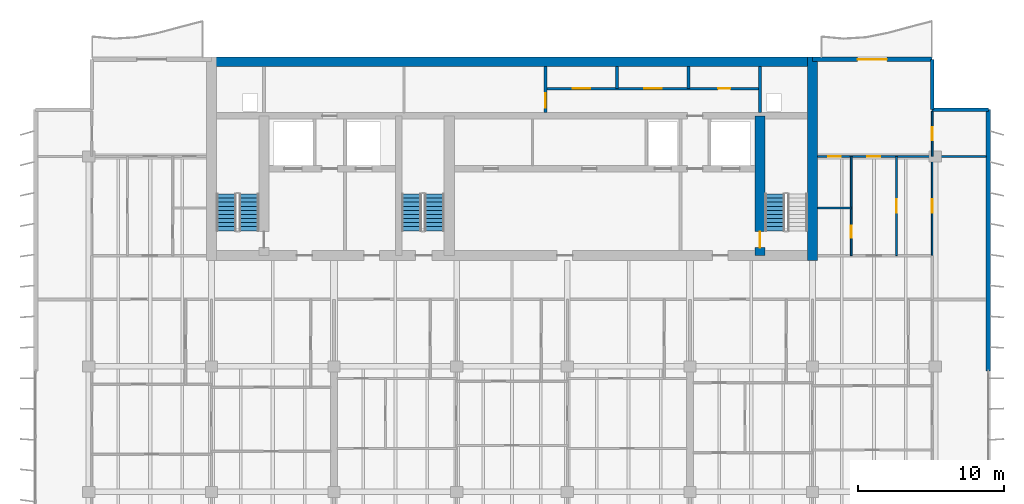
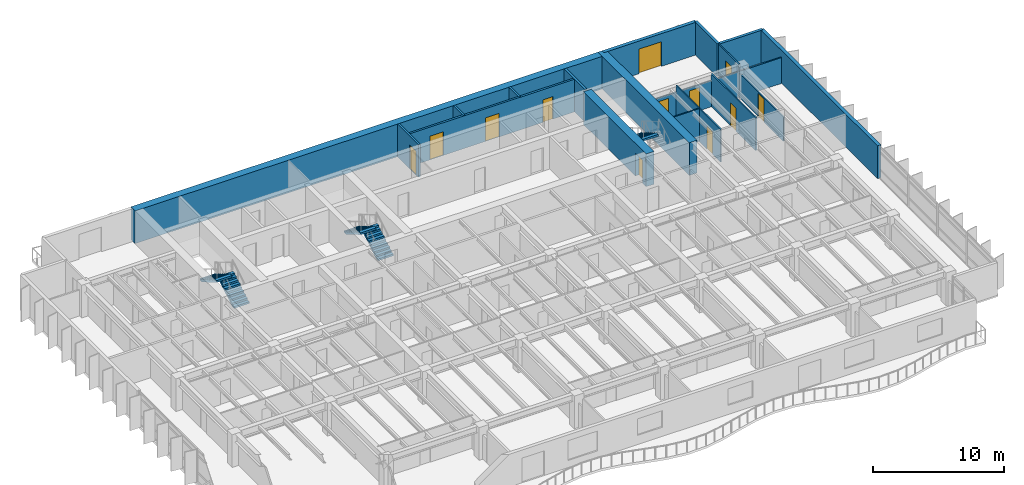
# One storey, part 12 of 17: 18 walls, 12 doors, 5 stair flights, 12 openings, 3 elements without a shape of their own.
"""IFC4 building model written with IfcOpenShell, lengths in metres."""

from ifc_helpers import new_model, si_unit, direction, frame, frame_2d, origin, place, context, subcontext, project, spatial, polyline, rectangle, outline, extrude, material, layer, layer_set, type_object, element, fill, aggregate, save


model = new_model("IFC4")

# Units and contexts
model_context = context("Model", 3, precision=1e-05, world=origin(), true_north=direction((0.0, 1.0)))
body_context = subcontext(model_context, "Body", "Model", "MODEL_VIEW")
ifc_project = project(units=[si_unit("LENGTHUNIT", "METRE"), si_unit("AREAUNIT", "SQUARE_METRE"), si_unit("VOLUMEUNIT", "CUBIC_METRE"), si_unit("PLANEANGLEUNIT", "RADIAN"), si_unit("MASSUNIT", "GRAM", prefix="KILO")], contexts=[model_context])

# Site, building, storey
site_placement = place(None, origin())
site = spatial("IfcSite", under=ifc_project, at=site_placement, CompositionType="ELEMENT")
building_placement = place(site_placement, origin())
building = spatial("IfcBuilding", under=site, at=building_placement, Name="Caelmar Bay Residences", CompositionType="ELEMENT")
storey_placement = place(building_placement, frame((0.0, 0.0, 204.89990234375)))
storey = spatial("IfcBuildingStorey", under=building, at=storey_placement, Name="L57", CompositionType="ELEMENT", Elevation=204.89990234375)

# Wall
ifc_material_1 = material(Name="Concrete f'c 55 MPa (8,000 psi)", Category="concrete")
ifc_layer_1 = layer(ifc_material_1, 0.699951171875)
ifc_layer_set_1 = layer_set([ifc_layer_1], Name="Concrete f'c 55 MPa (8,000 psi)")
wall_type_1 = type_object("IfcWallType", Name="SW-COR-700", PredefinedType="SHEAR", material=ifc_layer_set_1)
wall_1_placement = place(storey_placement, frame((59.5, 36.64990234375, 0.0), z_axis=(0.0, 0.0, 1.0), x_axis=(0.0, 1.0, 0.0)))
element("IfcWall", 1, at=wall_1_placement, inside=storey, type_object=wall_type_1, Name="L57 Rear Core East Shear Wall", PredefinedType="SHEAR", context=body_context, shape_type="SweptSolid", body=[
    extrude(rectangle(XDim=13.9501953125, YDim=0.699951171875, at=frame_2d((6.97509765625, 0.0))), origin(), (0.0, 0.0, 1.0), 3.050048828125),
])

# Wall, opening, door
wall_2_placement = place(storey_placement, frame((55.89990234375, 37.0, 0.0), z_axis=(0.0, 0.0, 1.0), x_axis=(0.0, 1.0, 0.0)))
wall_2 = element("IfcWall", 2, at=wall_2_placement, inside=storey, type_object=wall_type_1, Name="L57 Core Structural Web Wall ST2W", PredefinedType="SHEAR", context=body_context, shape_type="SweptSolid", body=[
    extrude(rectangle(XDim=9.574951171875, YDim=0.699951171875, at=frame_2d((4.78759765625, 0.0))), origin(), (0.0, 0.0, 1.0), 3.050048828125),
])
opening_1_placement = place(wall_2_placement, frame((0.550048828125, 0.0, 0.0)))
opening_1 = element("IfcOpeningElement", 3, at=opening_1_placement, cuts=wall_2, Name="Opening D-L57-110", PredefinedType="OPENING", context=body_context, shape_type="SweptSolid", body=[
    extrude(rectangle(XDim=1.10009765625, YDim=2.14990234375, at=frame_2d((0.550048828125, 1.074951171875))), frame((0.0, 0.35986328125, 0.0), z_axis=(0.0, -1.0, 0.0), x_axis=(1.0, 0.0, 0.0)), (0.0, 0.0, 1.0), 0.719970703125),
])
ifc_material_2 = material(Name="Fire-rated steel and walnut architectural door assembly", Category="steel")
ifc_layer_2 = layer(ifc_material_2, 0.050048828125)
ifc_layer_set_2 = layer_set([ifc_layer_2], Name="Fire-rated steel and walnut architectural door assembly")
door_type_1 = type_object("IfcDoorType", Name="D-STAIR-1100", OperationType="NOTDEFINED", PredefinedType="DOOR", material=ifc_layer_set_2)
door_1_placement = place(opening_1_placement, origin())
door_1 = element("IfcDoor", 4, at=door_1_placement, inside=storey, type_object=door_type_1, Name="L57 Firefighting Lobby East Door", OperationType="SINGLE_SWING_RIGHT", OverallHeight=2.14990234375, OverallWidth=1.10009765625, PredefinedType="DOOR", context=body_context, shape_type="SweptSolid", body=[
    extrude(rectangle(XDim=1.10009765625, YDim=2.14990234375, at=frame_2d((0.550048828125, 1.074951171875))), frame((0.0, 0.02490234375, 0.0), z_axis=(0.0, -1.0, 0.0), x_axis=(1.0, 0.0, 0.0)), (0.0, 0.0, 1.0), 0.050048828125),
])
fill(opening_1, door_1)

# Wall
ifc_layer_3 = layer(ifc_material_1, 0.64990234375)
ifc_layer_set_3 = layer_set([ifc_layer_3], Name="Concrete f'c 55 MPa (8,000 psi)")
wall_type_2 = type_object("IfcWallType", Name="SW-CORN-650", PredefinedType="SHEAR", material=ifc_layer_set_3)
wall_3_placement = place(storey_placement, frame((17.949951171875, 50.27490234375, 0.0), z_axis=(0.0, 0.0, 1.0), x_axis=(1.0, 0.0, 0.0)))
element("IfcWall", 5, at=wall_3_placement, inside=storey, type_object=wall_type_2, Name="L57 Rear Core North Shear Wall", PredefinedType="SHEAR", context=body_context, shape_type="SweptSolid", body=[
    extrude(rectangle(XDim=41.900146484375, YDim=0.64990234375, at=frame_2d((20.9501953125, 0.0))), origin(), (0.0, 0.0, 1.0), 3.050048828125),
])

# Wall, opening, door
ifc_material_3 = material(Name="Double-stud acoustic fire-rated gypsum partition 180 mm")
ifc_layer_4 = layer(ifc_material_3, 0.179931640625)
ifc_layer_set_4 = layer_set([ifc_layer_4], Name="Double-stud acoustic fire-rated gypsum partition 180 mm")
wall_type_3 = type_object("IfcWallType", Name="W-COR-200", PredefinedType="PARTITIONING", material=ifc_layer_set_4)
wall_4_placement = place(storey_placement, frame((41.199951171875, 46.794921875, 0.0), z_axis=(0.0, 0.0, 1.0), x_axis=(0.0, 1.0, 0.0)))
wall_4 = element("IfcWall", 6, at=wall_4_placement, inside=storey, type_object=wall_type_3, Name="L57 Partition Wall V025", PredefinedType="PARTITIONING", context=body_context, shape_type="SweptSolid", body=[
    extrude(rectangle(XDim=3.16015625, YDim=0.179931640625, at=frame_2d((1.580078125, 0.0))), origin(), (0.0, 0.0, 1.0), 3.050048828125),
])
opening_2_placement = place(wall_4_placement, frame((0.327392578125, 0.0, 0.0)))
opening_2 = element("IfcOpeningElement", 7, at=opening_2_placement, cuts=wall_4, Name="Opening D-L57-118", PredefinedType="OPENING", context=body_context, shape_type="SweptSolid", body=[
    extrude(rectangle(XDim=1.0, YDim=2.199951171875, at=frame_2d((0.5, 1.10009765625))), frame((0.0, 0.099853515625, 0.0), z_axis=(0.0, -1.0, 0.0), x_axis=(1.0, 0.0, 0.0)), (0.0, 0.0, 1.0), 0.199951171875),
])
ifc_layer_5 = layer(ifc_material_2, 0.050048828125)
ifc_layer_set_5 = layer_set([ifc_layer_5], Name="Fire-rated steel and walnut architectural door assembly")
door_type_2 = type_object("IfcDoorType", Name="D-UNIT-1000", OperationType="NOTDEFINED", PredefinedType="DOOR", material=ifc_layer_set_5)
door_2_placement = place(opening_2_placement, origin())
door_2 = element("IfcDoor", 8, at=door_2_placement, inside=storey, type_object=door_type_2, Name="L57 Engineering Control Office Door", OperationType="SINGLE_SWING_RIGHT", OverallHeight=2.199951171875, OverallWidth=1.0, PredefinedType="DOOR", context=body_context, shape_type="SweptSolid", body=[
    extrude(rectangle(XDim=1.0, YDim=2.199951171875, at=frame_2d((0.5, 1.10009765625))), frame((0.0, 0.02490234375, 0.0), z_axis=(0.0, -1.0, 0.0), x_axis=(1.0, 0.0, 0.0)), (0.0, 0.0, 1.0), 0.050048828125),
])
fill(opening_2, door_2)

# Walls
for number, where, z_axis, x_axis, name in (
    (9, (46.10009765625, 48.449951171875, 0.0), (0.0, 0.0, 1.0), (0.0, 1.0, 0.0), "L57 Partition Wall V028"),
    (10, (51.0, 48.449951171875, 0.0), (0.0, 0.0, 1.0), (0.0, 1.0, 0.0), "L57 Partition Wall V033"),
):
    element("IfcWall", number, at=place(storey_placement, frame(where, z_axis=z_axis, x_axis=x_axis)), inside=storey, type_object=wall_type_3, Name=name, PredefinedType="PARTITIONING", context=body_context, shape_type="SweptSolid", body=[
        extrude(rectangle(XDim=1.505126953125, YDim=0.179931640625, at=frame_2d((0.75244140625, 0.0))), origin(), (0.0, 0.0, 1.0), 3.050048828125),
    ])

# Wall, openings, doors
wall_5_placement = place(storey_placement, frame((41.199951171875, 48.449951171875, 0.0), z_axis=(0.0, 0.0, 1.0), x_axis=(1.0, 0.0, 0.0)))
wall_5 = element("IfcWall", 11, at=wall_5_placement, inside=storey, type_object=wall_type_3, Name="L57 Partition Wall H076", PredefinedType="PARTITIONING", context=body_context, shape_type="SweptSolid", body=[
    extrude(rectangle(XDim=14.699951171875, YDim=0.179931640625, at=frame_2d((7.35009765625, 0.0))), origin(), (0.0, 0.0, 1.0), 3.050048828125),
])
opening_3_placement = place(wall_5_placement, frame((1.85009765625, 0.0, 0.0)))
opening_3 = element("IfcOpeningElement", 12, at=opening_3_placement, cuts=wall_5, Name="Opening D-L57-119", PredefinedType="OPENING", context=body_context, shape_type="SweptSolid", body=[
    extrude(rectangle(XDim=1.199951171875, YDim=2.199951171875, at=frame_2d((0.60009765625, 1.10009765625))), frame((0.0, 0.099853515625, 0.0), z_axis=(0.0, -1.0, 0.0), x_axis=(1.0, 0.0, 0.0)), (0.0, 0.0, 1.0), 0.199951171875),
])
opening_4_placement = place(wall_5_placement, frame((6.75, 0.0, 0.0)))
opening_4 = element("IfcOpeningElement", 13, at=opening_4_placement, cuts=wall_5, Name="Opening D-L57-120", PredefinedType="OPENING", context=body_context, shape_type="SweptSolid", body=[
    extrude(rectangle(XDim=1.199951171875, YDim=2.199951171875, at=frame_2d((0.60009765625, 1.10009765625))), frame((0.0, 0.099853515625, 0.0), z_axis=(0.0, -1.0, 0.0), x_axis=(1.0, 0.0, 0.0)), (0.0, 0.0, 1.0), 0.199951171875),
])
opening_5_placement = place(wall_5_placement, frame((11.824951171875, 0.0, 0.0)))
opening_5 = element("IfcOpeningElement", 14, at=opening_5_placement, cuts=wall_5, Name="Opening D-L57-121", PredefinedType="OPENING", context=body_context, shape_type="SweptSolid", body=[
    extrude(rectangle(XDim=0.85009765625, YDim=2.10009765625, at=frame_2d((0.425048828125, 1.050048828125))), frame((0.0, 0.099853515625, 0.0), z_axis=(0.0, -1.0, 0.0), x_axis=(1.0, 0.0, 0.0)), (0.0, 0.0, 1.0), 0.199951171875),
])
ifc_layer_6 = layer(ifc_material_2, 0.050048828125)
ifc_layer_set_6 = layer_set([ifc_layer_6], Name="Fire-rated steel and walnut architectural door assembly")
door_type_3 = type_object("IfcDoorType", Name="D-CORE-850", OperationType="NOTDEFINED", PredefinedType="DOOR", material=ifc_layer_set_6)
door_3_placement = place(opening_5_placement, origin())
door_3 = element("IfcDoor", 15, at=door_3_placement, inside=storey, type_object=door_type_3, Name="L57 Accessible Staff WC Door", OperationType="SINGLE_SWING_LEFT", OverallHeight=2.10009765625, OverallWidth=0.85009765625, PredefinedType="DOOR", context=body_context, shape_type="SweptSolid", body=[
    extrude(rectangle(XDim=0.85009765625, YDim=2.10009765625, at=frame_2d((0.425048828125, 1.050048828125))), frame((0.0, 0.02490234375, 0.0), z_axis=(0.0, -1.0, 0.0), x_axis=(1.0, 0.0, 0.0)), (0.0, 0.0, 1.0), 0.050048828125),
])
fill(opening_5, door_3)
ifc_layer_7 = layer(ifc_material_2, 0.050048828125)
ifc_layer_set_7 = layer_set([ifc_layer_7], Name="Fire-rated steel and walnut architectural door assembly")
door_type_4 = type_object("IfcDoorType", Name="D-PLANT-1200", OperationType="NOTDEFINED", PredefinedType="DOOR", material=ifc_layer_set_7)
door_4_placement = place(opening_3_placement, origin())
door_4 = element("IfcDoor", 16, at=door_4_placement, inside=storey, type_object=door_type_4, Name="L57 Electrical Closet Door", OperationType="SINGLE_SWING_LEFT", OverallHeight=2.199951171875, OverallWidth=1.199951171875, PredefinedType="DOOR", context=body_context, shape_type="SweptSolid", body=[
    extrude(rectangle(XDim=1.199951171875, YDim=2.199951171875, at=frame_2d((0.60009765625, 1.10009765625))), frame((0.0, 0.02490234375, 0.0), z_axis=(0.0, -1.0, 0.0), x_axis=(1.0, 0.0, 0.0)), (0.0, 0.0, 1.0), 0.050048828125),
])
fill(opening_3, door_4)
door_5_placement = place(opening_4_placement, origin())
door_5 = element("IfcDoor", 17, at=door_5_placement, inside=storey, type_object=door_type_4, Name="L57 Housekeeping Linen Closet Door", OperationType="SINGLE_SWING_RIGHT", OverallHeight=2.199951171875, OverallWidth=1.199951171875, PredefinedType="DOOR", context=body_context, shape_type="SweptSolid", body=[
    extrude(rectangle(XDim=1.199951171875, YDim=2.199951171875, at=frame_2d((0.60009765625, 1.10009765625))), frame((0.0, 0.02490234375, 0.0), z_axis=(0.0, -1.0, 0.0), x_axis=(1.0, 0.0, 0.0)), (0.0, 0.0, 1.0), 0.050048828125),
])
fill(opening_4, door_5)

# Walls
ifc_material_4 = material(Name="Precast concrete f'c 40 MPa (6,000 psi)", Category="concrete")
ifc_layer_8 = layer(ifc_material_4, 0.25)
ifc_layer_set_8 = layer_set([ifc_layer_8], Name="Precast concrete f'c 40 MPa (6,000 psi)")
wall_type_4 = type_object("IfcWallType", Name="W-EXT-250", PredefinedType="ELEMENTEDWALL", material=ifc_layer_set_8)
wall_6_placement = place(storey_placement, frame((67.699951171875, 50.449951171875, 0.0), z_axis=(0.0, 0.0, 1.0), x_axis=(0.0, -1.0, 0.0)))
element("IfcWall", 18, at=wall_6_placement, inside=storey, type_object=wall_type_4, Name="L57 NNE-V Notch Wall", PredefinedType="ELEMENTEDWALL", context=body_context, shape_type="SweptSolid", body=[
    extrude(rectangle(XDim=3.449951171875, YDim=0.25, at=frame_2d((1.72509765625, 0.0))), origin(), (0.0, 0.0, 1.0), 3.050048828125),
])
wall_7_placement = place(storey_placement, frame((67.699951171875, 47.0, 0.0), z_axis=(0.0, 0.0, 1.0), x_axis=(1.0, 0.0, 0.0)))
element("IfcWall", 19, at=wall_7_placement, inside=storey, type_object=wall_type_4, Name="L57 NNE-H Notch Wall", PredefinedType="ELEMENTEDWALL", context=body_context, shape_type="SweptSolid", body=[
    extrude(rectangle(XDim=3.85009765625, YDim=0.25, at=frame_2d((1.925048828125, 0.0))), origin(), (0.0, 0.0, 1.0), 3.050048828125),
])
ifc_layer_9 = layer(ifc_material_4, 0.300048828125)
ifc_layer_set_9 = layer_set([ifc_layer_9], Name="Precast concrete f'c 40 MPa (6,000 psi)")
wall_type_5 = type_object("IfcWallType", Name="W-EXT-300", PredefinedType="STANDARD", material=ifc_layer_set_9)
wall_8_placement = place(storey_placement, frame((71.550048828125, 47.0, 0.0), z_axis=(0.0, 0.0, 1.0), x_axis=(0.0, -1.0, 0.0)))
element("IfcWall", 20, at=wall_8_placement, inside=storey, type_object=wall_type_5, Name="L57 East Rear Exterior Wall", PredefinedType="STANDARD", context=body_context, shape_type="SweptSolid", body=[
    extrude(rectangle(XDim=17.89990234375, YDim=0.300048828125, at=frame_2d((8.949951171875, 0.0))), origin(), (0.0, 0.0, 1.0), 3.050048828125),
])

# Wall, opening, door
wall_9_placement = place(storey_placement, frame((59.5, 50.449951171875, 0.0), z_axis=(0.0, 0.0, 1.0), x_axis=(1.0, 0.0, 0.0)))
wall_9 = element("IfcWall", 21, at=wall_9_placement, inside=storey, type_object=wall_type_5, Name="L57 North-East Wing Exterior Wall", PredefinedType="STANDARD", context=body_context, shape_type="SweptSolid", body=[
    extrude(rectangle(XDim=8.199951171875, YDim=0.300048828125, at=frame_2d((4.10009765625, 0.0))), origin(), (0.0, 0.0, 1.0), 3.050048828125),
])
opening_6_placement = place(wall_9_placement, frame((3.10009765625, 0.0, 0.0)))
opening_6 = element("IfcOpeningElement", 22, at=opening_6_placement, cuts=wall_9, Name="Opening L57-BDNE", PredefinedType="OPENING", context=body_context, shape_type="SweptSolid", body=[
    extrude(rectangle(XDim=2.0, YDim=2.300048828125, at=frame_2d((1.0, 1.14990234375))), frame((0.0, 0.159912109375, 0.0), z_axis=(0.0, -1.0, 0.0), x_axis=(1.0, 0.0, 0.0)), (0.0, 0.0, 1.0), 0.320068359375),
])
ifc_material_5 = material(Name="Anodised bronze thermally broken sliding glass door", Category="glass")
ifc_layer_10 = layer(ifc_material_5, 0.050048828125)
ifc_layer_set_10 = layer_set([ifc_layer_10], Name="Anodised bronze thermally broken sliding glass door")
door_type_5 = type_object("IfcDoorType", Name="D-BAL-2000", OperationType="DOUBLE_DOOR_SLIDING", PredefinedType="DOOR", material=ifc_layer_set_10)
door_6_placement = place(opening_6_placement, origin())
door_6 = element("IfcDoor", 23, at=door_6_placement, inside=storey, type_object=door_type_5, Name="L57 North-East Balcony Door", OperationType="DOUBLE_DOOR_SLIDING", OverallHeight=2.300048828125, OverallWidth=2.0, PredefinedType="DOOR", context=body_context, shape_type="SweptSolid", body=[
    extrude(rectangle(XDim=2.0, YDim=2.300048828125, at=frame_2d((1.0, 1.14990234375))), frame((0.0, 0.02490234375, 0.0), z_axis=(0.0, -1.0, 0.0), x_axis=(1.0, 0.0, 0.0)), (0.0, 0.0, 1.0), 0.050048828125),
])
fill(opening_6, door_6)

# Wall
ifc_material_6 = material(Name="Fire-rated masonry and gypsum shaftliner assembly 200 mm", Category="masonry")
ifc_layer_11 = layer(ifc_material_6, 0.199951171875)
ifc_layer_set_11 = layer_set([ifc_layer_11], Name="Fire-rated masonry and gypsum shaftliner assembly 200 mm")
wall_type_6 = type_object("IfcWallType", Name="W-FSAE-200", PredefinedType="PARTITIONING", material=ifc_layer_set_11)
wall_10_placement = place(storey_placement, frame((55.89990234375, 46.794921875, 0.0), z_axis=(0.0, 0.0, 1.0), x_axis=(0.0, 1.0, 0.0)))
element("IfcWall", 24, at=wall_10_placement, inside=storey, type_object=wall_type_6, Name="L57 Partition Wall V039", PredefinedType="PARTITIONING", context=body_context, shape_type="SweptSolid", body=[
    extrude(rectangle(XDim=3.16015625, YDim=0.199951171875, at=frame_2d((1.580078125, 0.0))), origin(), (0.0, 0.0, 1.0), 3.050048828125),
])

# Wall, opening, door
ifc_material_7 = material(Name="Anodised bronze framed acoustic sliding study partition 100 mm")
ifc_layer_12 = layer(ifc_material_7, 0.10009765625)
ifc_layer_set_12 = layer_set([ifc_layer_12], Name="Anodised bronze framed acoustic sliding study partition 100 mm")
wall_type_7 = type_object("IfcWallType", Name="W-MOV-100", PredefinedType="MOVABLE", material=ifc_layer_set_12)
wall_11_placement = place(storey_placement, frame((67.699951171875, 37.0048828125, 0.0), z_axis=(0.0, 0.0, 1.0), x_axis=(0.0, 1.0, 0.0)))
wall_11 = element("IfcWall", 25, at=wall_11_placement, inside=storey, type_object=wall_type_7, Name="L57 Partition Wall V048", PredefinedType="MOVABLE", context=body_context, shape_type="SweptSolid", body=[
    extrude(rectangle(XDim=6.795166015625, YDim=0.10009765625, at=frame_2d((3.3974609375, 0.0))), origin(), (0.0, 0.0, 1.0), 2.26318359375),
])
opening_7_placement = place(wall_11_placement, frame((2.947509765625, 0.0, 0.0)))
opening_7 = element("IfcOpeningElement", 26, at=opening_7_placement, cuts=wall_11, Name="Opening D-L57-170", PredefinedType="OPENING", context=body_context, shape_type="SweptSolid", body=[
    extrude(rectangle(XDim=0.89990234375, YDim=2.14990234375, at=frame_2d((0.449951171875, 1.074951171875))), frame((0.0, 0.06005859375, 0.0), z_axis=(0.0, -1.0, 0.0), x_axis=(1.0, 0.0, 0.0)), (0.0, 0.0, 1.0), 0.1201171875),
])
ifc_material_8 = material(Name="Solid walnut timber interior door leaf and frame", Category="wood")
ifc_layer_13 = layer(ifc_material_8, 0.050048828125)
ifc_layer_set_13 = layer_set([ifc_layer_13], Name="Solid walnut timber interior door leaf and frame")
door_type_6 = type_object("IfcDoorType", Name="D-ROOM-900", OperationType="NOTDEFINED", PredefinedType="DOOR", material=ifc_layer_set_13)
door_7_placement = place(opening_7_placement, origin())
door_7 = element("IfcDoor", 27, at=door_7_placement, inside=storey, type_object=door_type_6, Name="L57 Residence EA Sun Study Door", OperationType="SINGLE_SWING_RIGHT", OverallHeight=2.14990234375, OverallWidth=0.89990234375, PredefinedType="DOOR", context=body_context, shape_type="SweptSolid", body=[
    extrude(rectangle(XDim=0.89990234375, YDim=2.14990234375, at=frame_2d((0.449951171875, 1.074951171875))), frame((0.0, 0.02490234375, 0.0), z_axis=(0.0, -1.0, 0.0), x_axis=(1.0, 0.0, 0.0)), (0.0, 0.0, 1.0), 0.050048828125),
])
fill(opening_7, door_7)

ifc_material_9 = material(Name="Acoustic metal-stud gypsum partition 120 mm")
ifc_layer_14 = layer(ifc_material_9, 0.1201171875)
ifc_layer_set_14 = layer_set([ifc_layer_14], Name="Acoustic metal-stud gypsum partition 120 mm")
wall_type_8 = type_object("IfcWallType", Name="W-PRT-120", PredefinedType="PARTITIONING", material=ifc_layer_set_14)
wall_12_placement = place(storey_placement, frame((62.14990234375, 37.0, 0.0), z_axis=(0.0, 0.0, 1.0), x_axis=(0.0, 1.0, 0.0)))
wall_12 = element("IfcWall", 28, at=wall_12_placement, inside=storey, type_object=wall_type_8, Name="L57 Partition Wall V043", PredefinedType="PARTITIONING", context=body_context, shape_type="SweptSolid", body=[
    extrude(rectangle(XDim=6.800048828125, YDim=0.1201171875, at=frame_2d((3.39990234375, 0.0))), origin(), (0.0, 0.0, 1.0), 3.050048828125),
])
opening_8_placement = place(wall_12_placement, frame((1.20703125, 0.0, 0.0)))
opening_8 = element("IfcOpeningElement", 29, at=opening_8_placement, cuts=wall_12, Name="Opening D-L57-168", PredefinedType="OPENING", context=body_context, shape_type="SweptSolid", body=[
    extrude(rectangle(XDim=0.85009765625, YDim=2.10009765625, at=frame_2d((0.425048828125, 1.050048828125))), frame((0.0, 0.070068359375, 0.0), z_axis=(0.0, -1.0, 0.0), x_axis=(1.0, 0.0, 0.0)), (0.0, 0.0, 1.0), 0.14013671875),
])
ifc_layer_15 = layer(ifc_material_8, 0.050048828125)
ifc_layer_set_15 = layer_set([ifc_layer_15], Name="Solid walnut timber interior door leaf and frame")
door_type_7 = type_object("IfcDoorType", Name="D-BATH-850", OperationType="NOTDEFINED", PredefinedType="DOOR", material=ifc_layer_set_15)
door_8_placement = place(opening_8_placement, origin())
door_8 = element("IfcDoor", 30, at=door_8_placement, inside=storey, type_object=door_type_7, Name="L57 Residence EA Walk-In Closet Door", OperationType="SINGLE_SWING_RIGHT", OverallHeight=2.10009765625, OverallWidth=0.85009765625, PredefinedType="DOOR", context=body_context, shape_type="SweptSolid", body=[
    extrude(rectangle(XDim=0.85009765625, YDim=2.10009765625, at=frame_2d((0.425048828125, 1.050048828125))), frame((0.0, 0.02490234375, 0.0), z_axis=(0.0, -1.0, 0.0), x_axis=(1.0, 0.0, 0.0)), (0.0, 0.0, 1.0), 0.050048828125),
])
fill(opening_8, door_8)

wall_13_placement = place(storey_placement, frame((65.258056640625, 37.0, 0.0), z_axis=(0.0, 0.0, 1.0), x_axis=(0.0, 1.0, 0.0)))
wall_13 = element("IfcWall", 31, at=wall_13_placement, inside=storey, type_object=wall_type_8, Name="L57 Partition Wall V044", PredefinedType="PARTITIONING", context=body_context, shape_type="SweptSolid", body=[
    extrude(rectangle(XDim=6.800048828125, YDim=0.1201171875, at=frame_2d((3.39990234375, 0.0))), origin(), (0.0, 0.0, 1.0), 3.050048828125),
])
opening_9_placement = place(wall_13_placement, frame((2.949951171875, 0.0, 0.0)))
opening_9 = element("IfcOpeningElement", 32, at=opening_9_placement, cuts=wall_13, Name="Opening D-L57-165", PredefinedType="OPENING", context=body_context, shape_type="SweptSolid", body=[
    extrude(rectangle(XDim=0.89990234375, YDim=2.14990234375, at=frame_2d((0.449951171875, 1.074951171875))), frame((0.0, 0.070068359375, 0.0), z_axis=(0.0, -1.0, 0.0), x_axis=(1.0, 0.0, 0.0)), (0.0, 0.0, 1.0), 0.14013671875),
])
door_9_placement = place(opening_9_placement, origin())
door_9 = element("IfcDoor", 33, at=door_9_placement, inside=storey, type_object=door_type_6, Name="L57 Residence EA Dining Room Door", OperationType="SINGLE_SWING_LEFT", OverallHeight=2.14990234375, OverallWidth=0.89990234375, PredefinedType="DOOR", context=body_context, shape_type="SweptSolid", body=[
    extrude(rectangle(XDim=0.89990234375, YDim=2.14990234375, at=frame_2d((0.449951171875, 1.074951171875))), frame((0.0, 0.02490234375, 0.0), z_axis=(0.0, -1.0, 0.0), x_axis=(1.0, 0.0, 0.0)), (0.0, 0.0, 1.0), 0.050048828125),
])
fill(opening_9, door_9)

wall_14_placement = place(storey_placement, frame((67.699951171875, 43.804931640625, 0.0), z_axis=(0.0, 0.0, 1.0), x_axis=(0.0, 1.0, 0.0)))
wall_14 = element("IfcWall", 34, at=wall_14_placement, inside=storey, type_object=wall_type_8, Name="L57 Partition Wall V049", PredefinedType="PARTITIONING", context=body_context, shape_type="SweptSolid", body=[
    extrude(rectangle(XDim=3.074951171875, YDim=0.1201171875, at=frame_2d((1.53759765625, 0.0))), origin(), (0.0, 0.0, 1.0), 3.050048828125),
])
opening_10_placement = place(wall_14_placement, frame((1.08740234375, 0.0, 0.0)))
opening_10 = element("IfcOpeningElement", 35, at=opening_10_placement, cuts=wall_14, Name="Opening D-L57-171", PredefinedType="OPENING", context=body_context, shape_type="SweptSolid", body=[
    extrude(rectangle(XDim=0.89990234375, YDim=2.14990234375, at=frame_2d((0.449951171875, 1.074951171875))), frame((0.0, 0.070068359375, 0.0), z_axis=(0.0, -1.0, 0.0), x_axis=(1.0, 0.0, 0.0)), (0.0, 0.0, 1.0), 0.14013671875),
])
door_10_placement = place(opening_10_placement, origin())
door_10 = element("IfcDoor", 36, at=door_10_placement, inside=storey, type_object=door_type_6, Name="L57 Residence EA North Sitting Alcove Door", OperationType="SINGLE_SWING_LEFT", OverallHeight=2.14990234375, OverallWidth=0.89990234375, PredefinedType="DOOR", context=body_context, shape_type="SweptSolid", body=[
    extrude(rectangle(XDim=0.89990234375, YDim=2.14990234375, at=frame_2d((0.449951171875, 1.074951171875))), frame((0.0, 0.02490234375, 0.0), z_axis=(0.0, -1.0, 0.0), x_axis=(1.0, 0.0, 0.0)), (0.0, 0.0, 1.0), 0.050048828125),
])
fill(opening_10, door_10)

# Wall
wall_15_placement = place(storey_placement, frame((59.844970703125, 40.263916015625, 0.0), z_axis=(0.0, 0.0, 1.0), x_axis=(1.0, 0.0, 0.0)))
element("IfcWall", 37, at=wall_15_placement, inside=storey, type_object=wall_type_8, Name="L57 Partition Wall H073", PredefinedType="PARTITIONING", context=body_context, shape_type="SweptSolid", body=[
    extrude(rectangle(XDim=2.304931640625, YDim=0.1201171875, at=frame_2d((1.15234375, 0.0))), origin(), (0.0, 0.0, 1.0), 3.050048828125),
])

# Wall, openings, doors
wall_16_placement = place(storey_placement, frame((59.844970703125, 43.800048828125, 0.0), z_axis=(0.0, 0.0, 1.0), x_axis=(1.0, 0.0, 0.0)))
wall_16 = element("IfcWall", 38, at=wall_16_placement, inside=storey, type_object=wall_type_8, Name="L57 Partition Wall H075", PredefinedType="PARTITIONING", context=body_context, shape_type="SweptSolid", body=[
    extrude(rectangle(XDim=11.56005859375, YDim=0.1201171875, at=frame_2d((5.780029296875, 0.0))), origin(), (0.0, 0.0, 1.0), 2.418212890625),
])
opening_11_placement = place(wall_16_placement, frame((3.408935546875, 0.0, 0.0)))
opening_11 = element("IfcOpeningElement", 39, at=opening_11_placement, cuts=wall_16, Name="Opening D-L57-167", PredefinedType="OPENING", context=body_context, shape_type="SweptSolid", body=[
    extrude(rectangle(XDim=0.89990234375, YDim=2.14990234375, at=frame_2d((0.449951171875, 1.074951171875))), frame((0.0, 0.070068359375, 0.0), z_axis=(0.0, -1.0, 0.0), x_axis=(1.0, 0.0, 0.0)), (0.0, 0.0, 1.0), 0.14013671875),
])
opening_12_placement = place(wall_16_placement, frame((0.7275390625, 0.0, 0.0)))
opening_12 = element("IfcOpeningElement", 40, at=opening_12_placement, cuts=wall_16, Name="Opening D-L57-169", PredefinedType="OPENING", context=body_context, shape_type="SweptSolid", body=[
    extrude(rectangle(XDim=0.85009765625, YDim=2.10009765625, at=frame_2d((0.425048828125, 1.050048828125))), frame((0.0, 0.070068359375, 0.0), z_axis=(0.0, -1.0, 0.0), x_axis=(1.0, 0.0, 0.0)), (0.0, 0.0, 1.0), 0.14013671875),
])
door_11_placement = place(opening_12_placement, origin())
door_11 = element("IfcDoor", 41, at=door_11_placement, inside=storey, type_object=door_type_7, Name="L57 Residence EA Bathroom Door", OperationType="SINGLE_SWING_LEFT", OverallHeight=2.10009765625, OverallWidth=0.85009765625, PredefinedType="DOOR", context=body_context, shape_type="SweptSolid", body=[
    extrude(rectangle(XDim=0.85009765625, YDim=2.10009765625, at=frame_2d((0.425048828125, 1.050048828125))), frame((0.0, 0.02490234375, 0.0), z_axis=(0.0, -1.0, 0.0), x_axis=(1.0, 0.0, 0.0)), (0.0, 0.0, 1.0), 0.050048828125),
])
fill(opening_12, door_11)
door_12_placement = place(opening_11_placement, origin())
door_12 = element("IfcDoor", 42, at=door_12_placement, inside=storey, type_object=door_type_6, Name="L57 Residence EA Studio Living and Sleeping Room Door", OperationType="SINGLE_SWING_LEFT", OverallHeight=2.14990234375, OverallWidth=0.89990234375, PredefinedType="DOOR", context=body_context, shape_type="SweptSolid", body=[
    extrude(rectangle(XDim=0.89990234375, YDim=2.14990234375, at=frame_2d((0.449951171875, 1.074951171875))), frame((0.0, 0.02490234375, 0.0), z_axis=(0.0, -1.0, 0.0), x_axis=(1.0, 0.0, 0.0)), (0.0, 0.0, 1.0), 0.050048828125),
])
fill(opening_11, door_12)

# Stair, stair flights
ifc_material_10 = material(Name="Concrete f'c 40 MPa (6,000 psi)", Category="concrete")
stair_type = type_object("IfcStairType", Name="ST-TYP-165", PredefinedType="HALF_TURN_STAIR", material=ifc_material_10)
stair_1_placement = place(storey_placement, origin())
stair_1 = element("IfcStair", 43, at=stair_1_placement, inside=storey, type_object=stair_type, Name="L57 West Smokeproof Exit Stair ST1", PredefinedType="HALF_TURN_STAIR")
stair_flight_type = type_object("IfcStairFlightType", Name="STF-1350", PredefinedType="STRAIGHT", material=ifc_material_10)
stair_flight_1_placement = place(storey_placement, frame((20.875, 38.699951171875, 0.0), z_axis=(0.0, 0.0, 1.0), x_axis=(0.0, 1.0, 0.0)))
stair_flight_1 = element("IfcStairFlight", 44, at=stair_flight_1_placement, type_object=stair_flight_type, Name="ST1 flight 1", NumberOfRisers=10, NumberOfTreads=9, PredefinedType="STRAIGHT", RiserHeight=0.165, TreadLength=0.28, context=body_context, shape_type="SweptSolid", body=[
    extrude(outline(polyline([(0.0, 0.0), (0.0, 0.1650390625), (0.280029296875, 0.1650390625), (0.280029296875, 0.330078125), (0.56005859375, 0.330078125), (0.56005859375, 0.4951171875), (0.840087890625, 0.4951171875), (0.840087890625, 0.659912109375), (1.1201171875, 0.659912109375), (1.1201171875, 0.824951171875), (1.39990234375, 0.824951171875), (1.39990234375, 0.989990234375), (1.679931640625, 0.989990234375), (1.679931640625, 1.155029296875), (1.9599609375, 1.155029296875), (1.9599609375, 1.320068359375), (2.239990234375, 1.320068359375), (2.239990234375, 1.485107421875), (2.52001953125, 1.485107421875), (2.52001953125, 1.64990234375), (2.52001953125, 1.31103515625), (0.295166015625, 0.0), (0.0, 0.0)])), frame((0.0, 0.675048828125, 0.0), z_axis=(0.0, -1.0, 0.0), x_axis=(1.0, 0.0, 0.0)), (0.0, 0.0, 1.0), 1.35009765625),
])
stair_flight_2_placement = place(storey_placement, frame((19.324951171875, 41.219970703125, 1.650146484375), z_axis=(0.0, 0.0, 1.0), x_axis=(0.0, -1.0, 0.0)))
stair_flight_2 = element("IfcStairFlight", 45, at=stair_flight_2_placement, type_object=stair_flight_type, Name="ST1 flight 2", NumberOfRisers=10, NumberOfTreads=9, PredefinedType="STRAIGHT", RiserHeight=0.165, TreadLength=0.28, context=body_context, shape_type="SweptSolid", body=[
    extrude(outline(polyline([(0.0, 0.0), (0.0, 0.1650390625), (0.280029296875, 0.1650390625), (0.280029296875, 0.330078125), (0.56005859375, 0.330078125), (0.56005859375, 0.4951171875), (0.840087890625, 0.4951171875), (0.840087890625, 0.659912109375), (1.1201171875, 0.659912109375), (1.1201171875, 0.824951171875), (1.39990234375, 0.824951171875), (1.39990234375, 0.989990234375), (1.679931640625, 0.989990234375), (1.679931640625, 1.155029296875), (1.9599609375, 1.155029296875), (1.9599609375, 1.320068359375), (2.239990234375, 1.320068359375), (2.239990234375, 1.485107421875), (2.52001953125, 1.485107421875), (2.52001953125, 1.64990234375), (2.52001953125, 1.31103515625), (0.295166015625, 0.0), (0.0, 0.0)])), frame((0.0, 0.675048828125, 0.0), z_axis=(0.0, -1.0, 0.0), x_axis=(1.0, 0.0, 0.0)), (0.0, 0.0, 1.0), 1.35009765625),
])
aggregate(stair_1, [stair_flight_1, stair_flight_2])

# Stair, stair flight
stair_2_placement = place(storey_placement, origin())
stair_2 = element("IfcStair", 46, at=stair_2_placement, inside=storey, type_object=stair_type, Name="L57 East Smokeproof Exit Stair ST2", PredefinedType="HALF_TURN_STAIR")
stair_flight_3_placement = place(storey_placement, frame((56.925048828125, 41.219970703125, 1.650146484375), z_axis=(0.0, 0.0, 1.0), x_axis=(0.0, -1.0, 0.0)))
stair_flight_3 = element("IfcStairFlight", 47, at=stair_flight_3_placement, type_object=stair_flight_type, Name="ST2 flight 2", NumberOfRisers=10, NumberOfTreads=9, PredefinedType="STRAIGHT", RiserHeight=0.165, TreadLength=0.28, context=body_context, shape_type="SweptSolid", body=[
    extrude(outline(polyline([(0.0, 0.0), (0.0, 0.1650390625), (0.280029296875, 0.1650390625), (0.280029296875, 0.330078125), (0.56005859375, 0.330078125), (0.56005859375, 0.4951171875), (0.840087890625, 0.4951171875), (0.840087890625, 0.659912109375), (1.1201171875, 0.659912109375), (1.1201171875, 0.824951171875), (1.39990234375, 0.824951171875), (1.39990234375, 0.989990234375), (1.679931640625, 0.989990234375), (1.679931640625, 1.155029296875), (1.9599609375, 1.155029296875), (1.9599609375, 1.320068359375), (2.239990234375, 1.320068359375), (2.239990234375, 1.485107421875), (2.52001953125, 1.485107421875), (2.52001953125, 1.64990234375), (2.52001953125, 1.31103515625), (0.295166015625, 0.0), (0.0, 0.0)])), frame((0.0, 0.675048828125, 0.0), z_axis=(0.0, -1.0, 0.0), x_axis=(1.0, 0.0, 0.0)), (0.0, 0.0, 1.0), 1.35009765625),
])
aggregate(stair_2, [stair_flight_3])

# Stair, stair flights
stair_3_placement = place(storey_placement, origin())
stair_3 = element("IfcStair", 48, at=stair_3_placement, inside=storey, type_object=stair_type, Name="L57 Central Smokeproof Exit Stair ST3", PredefinedType="HALF_TURN_STAIR")
stair_flight_4_placement = place(storey_placement, frame((33.574951171875, 38.699951171875, 0.0), z_axis=(0.0, 0.0, 1.0), x_axis=(0.0, 1.0, 0.0)))
stair_flight_4 = element("IfcStairFlight", 49, at=stair_flight_4_placement, type_object=stair_flight_type, Name="ST3 flight 1", NumberOfRisers=10, NumberOfTreads=9, PredefinedType="STRAIGHT", RiserHeight=0.165, TreadLength=0.28, context=body_context, shape_type="SweptSolid", body=[
    extrude(outline(polyline([(0.0, 0.0), (0.0, 0.1650390625), (0.280029296875, 0.1650390625), (0.280029296875, 0.330078125), (0.56005859375, 0.330078125), (0.56005859375, 0.4951171875), (0.840087890625, 0.4951171875), (0.840087890625, 0.659912109375), (1.1201171875, 0.659912109375), (1.1201171875, 0.824951171875), (1.39990234375, 0.824951171875), (1.39990234375, 0.989990234375), (1.679931640625, 0.989990234375), (1.679931640625, 1.155029296875), (1.9599609375, 1.155029296875), (1.9599609375, 1.320068359375), (2.239990234375, 1.320068359375), (2.239990234375, 1.485107421875), (2.52001953125, 1.485107421875), (2.52001953125, 1.64990234375), (2.52001953125, 1.31103515625), (0.295166015625, 0.0), (0.0, 0.0)])), frame((0.0, 0.675048828125, 0.0), z_axis=(0.0, -1.0, 0.0), x_axis=(1.0, 0.0, 0.0)), (0.0, 0.0, 1.0), 1.35009765625),
])
stair_flight_5_placement = place(storey_placement, frame((32.02490234375, 41.219970703125, 1.650146484375), z_axis=(0.0, 0.0, 1.0), x_axis=(0.0, -1.0, 0.0)))
stair_flight_5 = element("IfcStairFlight", 50, at=stair_flight_5_placement, type_object=stair_flight_type, Name="ST3 flight 2", NumberOfRisers=10, NumberOfTreads=9, PredefinedType="STRAIGHT", RiserHeight=0.165, TreadLength=0.28, context=body_context, shape_type="SweptSolid", body=[
    extrude(outline(polyline([(0.0, 0.0), (0.0, 0.1650390625), (0.280029296875, 0.1650390625), (0.280029296875, 0.330078125), (0.56005859375, 0.330078125), (0.56005859375, 0.4951171875), (0.840087890625, 0.4951171875), (0.840087890625, 0.659912109375), (1.1201171875, 0.659912109375), (1.1201171875, 0.824951171875), (1.39990234375, 0.824951171875), (1.39990234375, 0.989990234375), (1.679931640625, 0.989990234375), (1.679931640625, 1.155029296875), (1.9599609375, 1.155029296875), (1.9599609375, 1.320068359375), (2.239990234375, 1.320068359375), (2.239990234375, 1.485107421875), (2.52001953125, 1.485107421875), (2.52001953125, 1.64990234375), (2.52001953125, 1.31103515625), (0.295166015625, 0.0), (0.0, 0.0)])), frame((0.0, 0.675048828125, 0.0), z_axis=(0.0, -1.0, 0.0), x_axis=(1.0, 0.0, 0.0)), (0.0, 0.0, 1.0), 1.35009765625),
])
aggregate(stair_3, [stair_flight_4, stair_flight_5])

save(model, "model.ifc")
